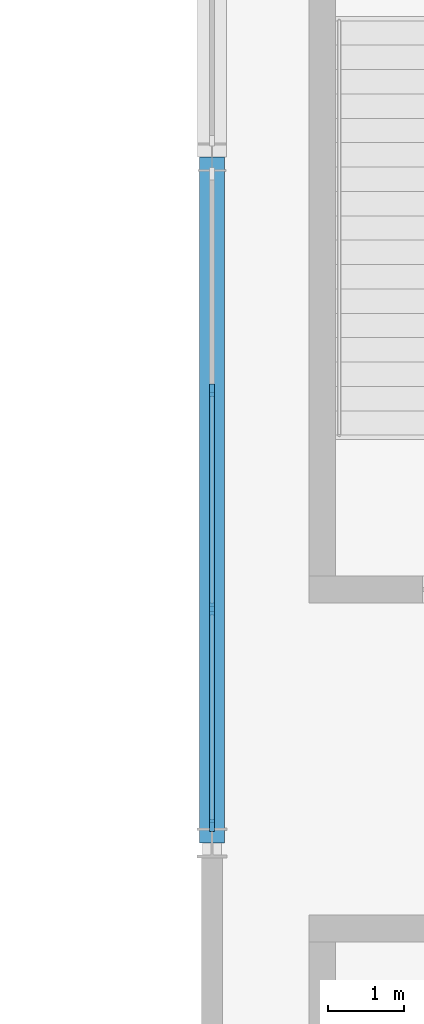
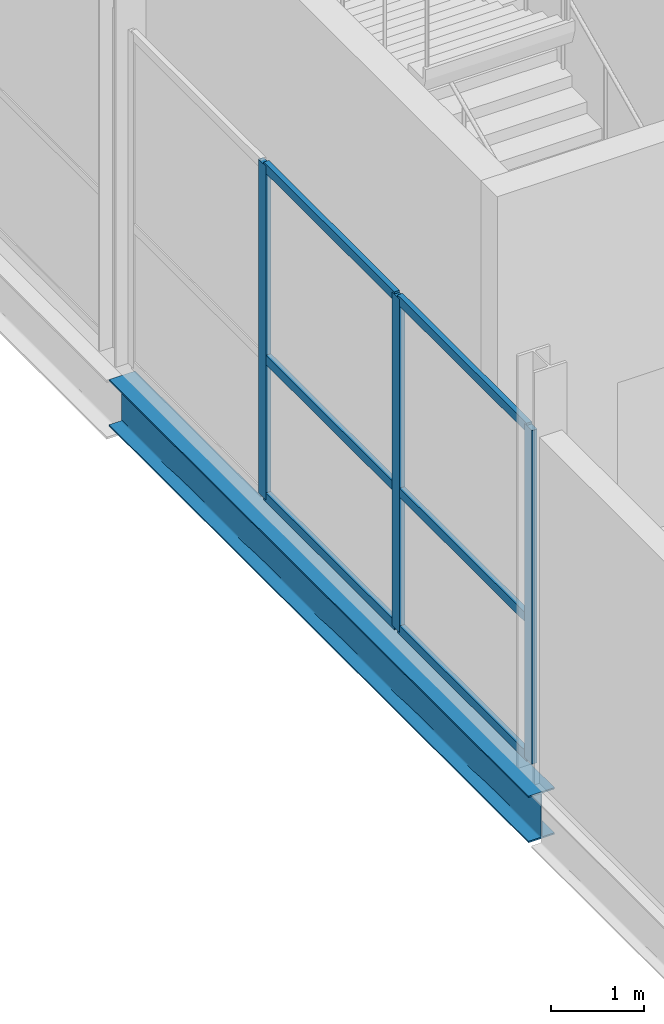
# One storey, part 37 of 94: 9 members, 1 beam, 1 element without a shape of its own.
"""IFC4 building model written with IfcOpenShell, lengths in metres."""

from ifc_helpers import new_model, si_unit, direction, frame, origin, origin_2d, place, context, subcontext, project, spatial, rectangle, i_section, extrude, material, layer, layer_set, material_profile, profile_set, type_object, element, aggregate, save


model = new_model("IFC4")

# Units and contexts
model_context = context("Model", 3, precision=1e-05, world=origin(), true_north=direction((0.0, 1.0)))
body_context = subcontext(model_context, "Body", "Model", "MODEL_VIEW")
ifc_project = project(units=[si_unit("LENGTHUNIT", "METRE"), si_unit("AREAUNIT", "SQUARE_METRE"), si_unit("VOLUMEUNIT", "CUBIC_METRE"), si_unit("PLANEANGLEUNIT", "RADIAN"), si_unit("MASSUNIT", "GRAM", prefix="KILO")], contexts=[model_context])

# Site, building, storey
site_placement = place(None, origin())
site = spatial("IfcSite", under=ifc_project, at=site_placement, CompositionType="ELEMENT")
building_placement = place(site_placement, origin())
building = spatial("IfcBuilding", under=site, at=building_placement, Name="Qamarlyn Nura Convention Centre", CompositionType="ELEMENT")
storey_placement = place(building_placement, origin())
storey = spatial("IfcBuildingStorey", under=building, at=storey_placement, Name="L00", CompositionType="ELEMENT", Elevation=0.0)

# Beam
ifc_material_1 = material(Name="Steel ASTM A992", Category="steel")
ifc_material_profile_1 = material_profile(ifc_material_1, i_section(OverallWidth=0.323974609375, OverallDepth=0.611083984375, WebThickness=0.0126953125, FlangeThickness=0.01904296875, FilletRadius=0.01611328125, at=origin_2d()), Name="W610X155")
ifc_profile_set_1 = profile_set([ifc_material_profile_1], Name="Steel ASTM A992")
beam_type = type_object("IfcBeamType", Name="BM-GIRD-610", PredefinedType="BEAM", material=ifc_profile_set_1)
beam_placement = place(storey_placement, frame((144.0, 108.0, -0.58544921875), z_axis=(0.0, 1.0, 0.0), x_axis=(-1.0, 0.0, 0.0)))
element("IfcBeam", 1, at=beam_placement, inside=storey, type_object=beam_type, Name="L00 girder 12 N-P", PredefinedType="BEAM", context=body_context, shape_type="SweptSolid", body=[
    extrude(i_section(OverallWidth=0.323974609375, OverallDepth=0.611083984375, WebThickness=0.0126953125, FlangeThickness=0.01904296875, FilletRadius=0.01611328125, at=origin_2d()), origin(), (0.0, 0.0, 1.0), 9.0),
])

# Curtain wall, members
ifc_material_2 = material(Name="Double-silver low-E insulated glass", Category="glass")
ifc_layer = layer(ifc_material_2, 0.179931640625, Name="CW-UNIT-64")
ifc_layer_set = layer_set([ifc_layer], Name="Double-silver low-E insulated glass")
curtain_wall_type = type_object("IfcCurtainWallType", Name="CW-UNIT-64", PredefinedType="NOTDEFINED", material=ifc_layer_set)
curtain_wall_placement = place(storey_placement, origin())
curtain_wall = element("IfcCurtainWall", 2, at=curtain_wall_placement, inside=storey, type_object=curtain_wall_type, Name="L00 unitised curtain wall PLW-108-1", PredefinedType="NOTDEFINED")
ifc_material_3 = material(Name="Champagne-anodised marine aluminium", Category="aluminium")
ifc_material_profile_2 = material_profile(ifc_material_3, rectangle(XDim=0.06494140625, YDim=0.159912109375, at=origin_2d()), Name="ALU MULLION 65x160")
ifc_profile_set_2 = profile_set([ifc_material_profile_2], Name="Champagne-anodised marine aluminium")
member_type_1 = type_object("IfcMemberType", Name="CWM-160", PredefinedType="MULLION", material=ifc_profile_set_2)
member_1_placement = place(storey_placement, frame((144.0, 108.22900390625, 0.0), z_axis=(0.0, 0.0, 1.0), x_axis=(-1.0, 0.0, 0.0)))
member_1 = element("IfcMember", 3, at=member_1_placement, type_object=member_type_1, Name="CW64 mullion 1", PredefinedType="MULLION", context=body_context, shape_type="SweptSolid", body=[
    extrude(rectangle(XDim=0.06494140625, YDim=0.159912109375, at=origin_2d()), origin(), (0.0, 0.0, 1.0), 4.3720703125),
])
member_2_placement = place(storey_placement, frame((144.0, 111.069091796875, 0.0), z_axis=(0.0, 0.0, 1.0), x_axis=(-1.0, 0.0, 0.0)))
member_2 = element("IfcMember", 4, at=member_2_placement, type_object=member_type_1, Name="CW64 mullion 2", PredefinedType="MULLION", context=body_context, shape_type="SweptSolid", body=[
    extrude(rectangle(XDim=0.06494140625, YDim=0.159912109375, at=origin_2d()), origin(), (0.0, 0.0, 1.0), 4.3720703125),
])
member_3_placement = place(storey_placement, frame((144.0, 113.94140625, 0.0), z_axis=(0.0, 0.0, 1.0), x_axis=(-1.0, 0.0, 0.0)))
member_3 = element("IfcMember", 5, at=member_3_placement, type_object=member_type_1, Name="CW64 mullion 3", PredefinedType="MULLION", context=body_context, shape_type="SweptSolid", body=[
    extrude(rectangle(XDim=0.06494140625, YDim=0.159912109375, at=origin_2d()), origin(), (0.0, 0.0, 1.0), 4.3720703125),
])
ifc_material_profile_3 = material_profile(ifc_material_3, rectangle(XDim=0.06494140625, YDim=0.1201171875, at=origin_2d()), Name="ALU TRANSOM 65x120")
ifc_profile_set_3 = profile_set([ifc_material_profile_3], Name="Champagne-anodised marine aluminium")
member_type_2 = type_object("IfcMemberType", Name="CWT-120", PredefinedType="USERDEFINED", material=ifc_profile_set_3)
member_4_placement = place(storey_placement, frame((144.0, 108.261474609375, 0.032470703125), z_axis=(0.0, 1.0, 0.0), x_axis=(-1.0, 0.0, 0.0)))
member_4 = element("IfcMember", 6, at=member_4_placement, type_object=member_type_2, Name="CW64 transom 1.1", ObjectType="TRANSOM", PredefinedType="USERDEFINED", context=body_context, shape_type="SweptSolid", body=[
    extrude(rectangle(XDim=0.06494140625, YDim=0.1201171875, at=origin_2d()), origin(), (0.0, 0.0, 1.0), 2.775146484375),
])
member_5_placement = place(storey_placement, frame((144.0, 108.261474609375, 1.8359375), z_axis=(0.0, 1.0, 0.0), x_axis=(-1.0, 0.0, 0.0)))
member_5 = element("IfcMember", 7, at=member_5_placement, type_object=member_type_2, Name="CW64 transom 1.2", ObjectType="TRANSOM", PredefinedType="USERDEFINED", context=body_context, shape_type="SweptSolid", body=[
    extrude(rectangle(XDim=0.06494140625, YDim=0.1201171875, at=origin_2d()), origin(), (0.0, 0.0, 1.0), 2.775146484375),
])
member_6_placement = place(storey_placement, frame((144.0, 108.261474609375, 4.339599609375), z_axis=(0.0, 1.0, 0.0), x_axis=(-1.0, 0.0, 0.0)))
member_6 = element("IfcMember", 8, at=member_6_placement, type_object=member_type_2, Name="CW64 transom 1.3", ObjectType="TRANSOM", PredefinedType="USERDEFINED", context=body_context, shape_type="SweptSolid", body=[
    extrude(rectangle(XDim=0.06494140625, YDim=0.1201171875, at=origin_2d()), origin(), (0.0, 0.0, 1.0), 2.775146484375),
])
member_7_placement = place(storey_placement, frame((144.0, 111.1015625, 0.032470703125), z_axis=(0.0, 1.0, 0.0), x_axis=(-1.0, 0.0, 0.0)))
member_7 = element("IfcMember", 9, at=member_7_placement, type_object=member_type_2, Name="CW64 transom 2.1", ObjectType="TRANSOM", PredefinedType="USERDEFINED", context=body_context, shape_type="SweptSolid", body=[
    extrude(rectangle(XDim=0.06494140625, YDim=0.1201171875, at=origin_2d()), origin(), (0.0, 0.0, 1.0), 2.807373046875),
])
member_8_placement = place(storey_placement, frame((144.0, 111.1015625, 1.8359375), z_axis=(0.0, 1.0, 0.0), x_axis=(-1.0, 0.0, 0.0)))
member_8 = element("IfcMember", 10, at=member_8_placement, type_object=member_type_2, Name="CW64 transom 2.2", ObjectType="TRANSOM", PredefinedType="USERDEFINED", context=body_context, shape_type="SweptSolid", body=[
    extrude(rectangle(XDim=0.06494140625, YDim=0.1201171875, at=origin_2d()), origin(), (0.0, 0.0, 1.0), 2.807373046875),
])
member_9_placement = place(storey_placement, frame((144.0, 111.1015625, 4.339599609375), z_axis=(0.0, 1.0, 0.0), x_axis=(-1.0, 0.0, 0.0)))
member_9 = element("IfcMember", 11, at=member_9_placement, type_object=member_type_2, Name="CW64 transom 2.3", ObjectType="TRANSOM", PredefinedType="USERDEFINED", context=body_context, shape_type="SweptSolid", body=[
    extrude(rectangle(XDim=0.06494140625, YDim=0.1201171875, at=origin_2d()), origin(), (0.0, 0.0, 1.0), 2.807373046875),
])
aggregate(curtain_wall, [member_1, member_2, member_3, member_4, member_5, member_6, member_7, member_8, member_9])

save(model, "model.ifc")
